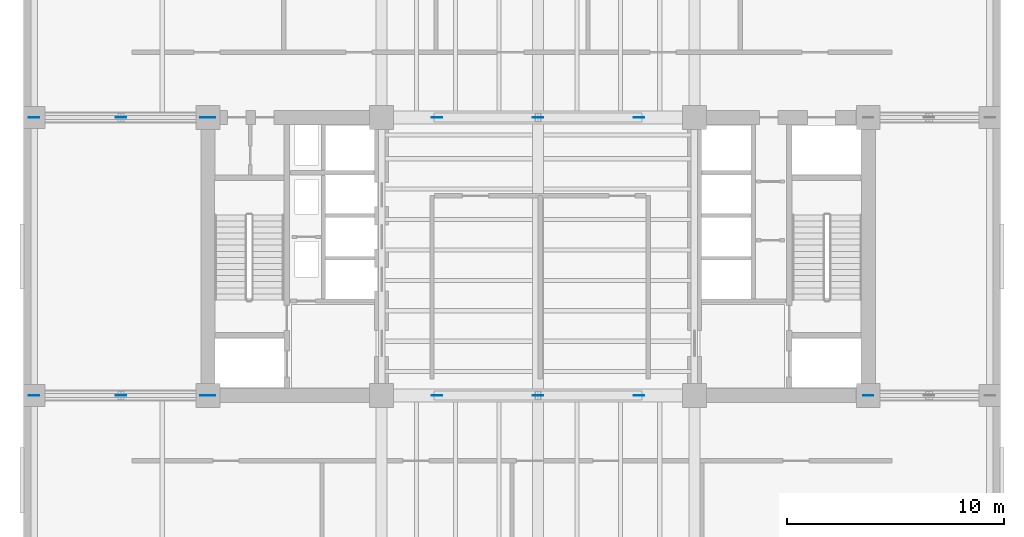
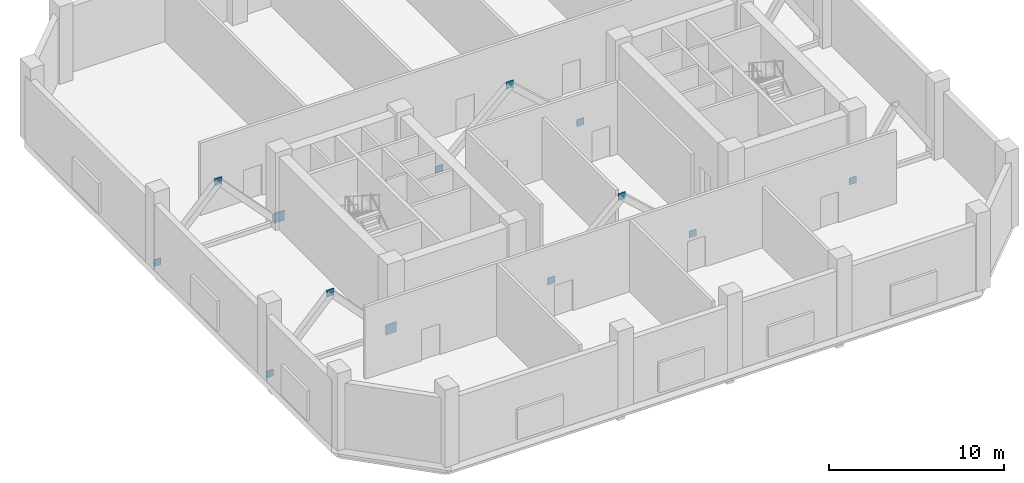
# One storey, part 3 of 9: 13 plates.
"""IFC4 building model written with IfcOpenShell, lengths in metres."""

from ifc_helpers import new_model, si_unit, direction, frame, origin, origin_2d, place, context, subcontext, project, spatial, rectangle, extrude, material, layer, layer_set, type_object, element, save


model = new_model("IFC4")

# Units and contexts
model_context = context("Model", 3, precision=1e-05, world=origin(), true_north=direction((0.0, 1.0)))
body_context = subcontext(model_context, "Body", "Model", "MODEL_VIEW")
ifc_project = project(units=[si_unit("LENGTHUNIT", "METRE"), si_unit("AREAUNIT", "SQUARE_METRE"), si_unit("VOLUMEUNIT", "CUBIC_METRE"), si_unit("PLANEANGLEUNIT", "RADIAN"), si_unit("MASSUNIT", "GRAM", prefix="KILO")], contexts=[model_context])

# Site, building, storey
site_placement = place(None, origin())
site = spatial("IfcSite", under=ifc_project, at=site_placement, CompositionType="ELEMENT")
building_placement = place(site_placement, origin())
building = spatial("IfcBuilding", under=site, at=building_placement, Name="Kranthara Brick Stack", CompositionType="ELEMENT")
storey_placement = place(building_placement, frame((0.0, 0.0, 110.10009765625)))
storey = spatial("IfcBuildingStorey", under=building, at=storey_placement, Name="L27", CompositionType="ELEMENT", Elevation=110.10009765625)

# Plates
ifc_material = material(Name="Steel S355", Category="steel")
ifc_layer = layer(ifc_material, 0.030029296875)
ifc_layer_set = layer_set([ifc_layer], Name="Steel S355")
plate_type = type_object("IfcPlateType", Name="PLT-GUSSET-30", PredefinedType="USERDEFINED", material=ifc_layer_set)
for number, where, z_axis, x_axis, name in (
    (1, (12.800048828125, 20.800048828125, 0.10009765625), (0.0, 0.0, 1.0), (1.0, 0.0, 0.0), "L27 Outrigger Core Gusset Plate 1"),
    (2, (12.800048828125, 33.60009765625, 0.10009765625), (0.0, 0.0, 1.0), (1.0, 0.0, 0.0), "L27 Outrigger Core Gusset Plate 2"),
):
    element("IfcPlate", number, at=place(storey_placement, frame(where, z_axis=z_axis, x_axis=x_axis)), inside=storey, type_object=plate_type, Name=name, ObjectType="GUSSET PLATE", PredefinedType="USERDEFINED", context=body_context, shape_type="SweptSolid", body=[
        extrude(rectangle(XDim=0.699951171875, YDim=0.030029296875, at=origin_2d()), origin(), (0.0, 0.0, 1.0), 0.699951171875),
    ])
for number, where, z_axis, x_axis, name in (
    (3, (8.800048828125, 20.800048828125, 4.099853515625), (0.0, 0.0, 1.0), (1.0, 0.0, 0.0), "L27 Brace and Strut End Connection Gusset Plate 150"),
    (4, (8.800048828125, 33.60009765625, 4.099853515625), (0.0, 0.0, 1.0), (1.0, 0.0, 0.0), "L27 Brace and Strut End Connection Gusset Plate 151"),
    (5, (43.199951171875, 20.800048828125, -0.14013671875), (0.0, 0.0, 1.0), (1.0, 0.0, 0.0), "L27 Brace and Strut End Connection Gusset Plate 152"),
    (6, (4.800048828125, 20.800048828125, -0.14013671875), (0.0, 0.0, 1.0), (1.0, 0.0, 0.0), "L27 Brace and Strut End Connection Gusset Plate 156"),
    (7, (4.800048828125, 33.60009765625, -0.14013671875), (0.0, 0.0, 1.0), (1.0, 0.0, 0.0), "L27 Brace and Strut End Connection Gusset Plate 157"),
    (8, (23.35009765625, 20.800048828125, -0.14013671875), (0.0, 0.0, 1.0), (1.0, 0.0, 0.0), "L27 Brace and Strut End Connection Gusset Plate 160"),
    (9, (28.0, 20.800048828125, 4.099853515625), (0.0, 0.0, 1.0), (1.0, 0.0, 0.0), "L27 Brace and Strut End Connection Gusset Plate 161"),
    (10, (32.64990234375, 20.800048828125, -0.14013671875), (0.0, 0.0, 1.0), (1.0, 0.0, 0.0), "L27 Brace and Strut End Connection Gusset Plate 162"),
    (11, (23.35009765625, 33.60009765625, -0.14013671875), (0.0, 0.0, 1.0), (1.0, 0.0, 0.0), "L27 Brace and Strut End Connection Gusset Plate 163"),
    (12, (28.0, 33.60009765625, 4.099853515625), (0.0, 0.0, 1.0), (1.0, 0.0, 0.0), "L27 Brace and Strut End Connection Gusset Plate 164"),
    (13, (32.64990234375, 33.60009765625, -0.14013671875), (0.0, 0.0, 1.0), (1.0, 0.0, 0.0), "L27 Brace and Strut End Connection Gusset Plate 165"),
):
    element("IfcPlate", number, at=place(storey_placement, frame(where, z_axis=z_axis, x_axis=x_axis)), inside=storey, type_object=plate_type, Name=name, ObjectType="GUSSET PLATE", PredefinedType="USERDEFINED", context=body_context, shape_type="SweptSolid", body=[
        extrude(rectangle(XDim=0.47998046875, YDim=0.030029296875, at=origin_2d()), origin(), (0.0, 0.0, 1.0), 0.47998046875),
    ])

save(model, "model.ifc")
